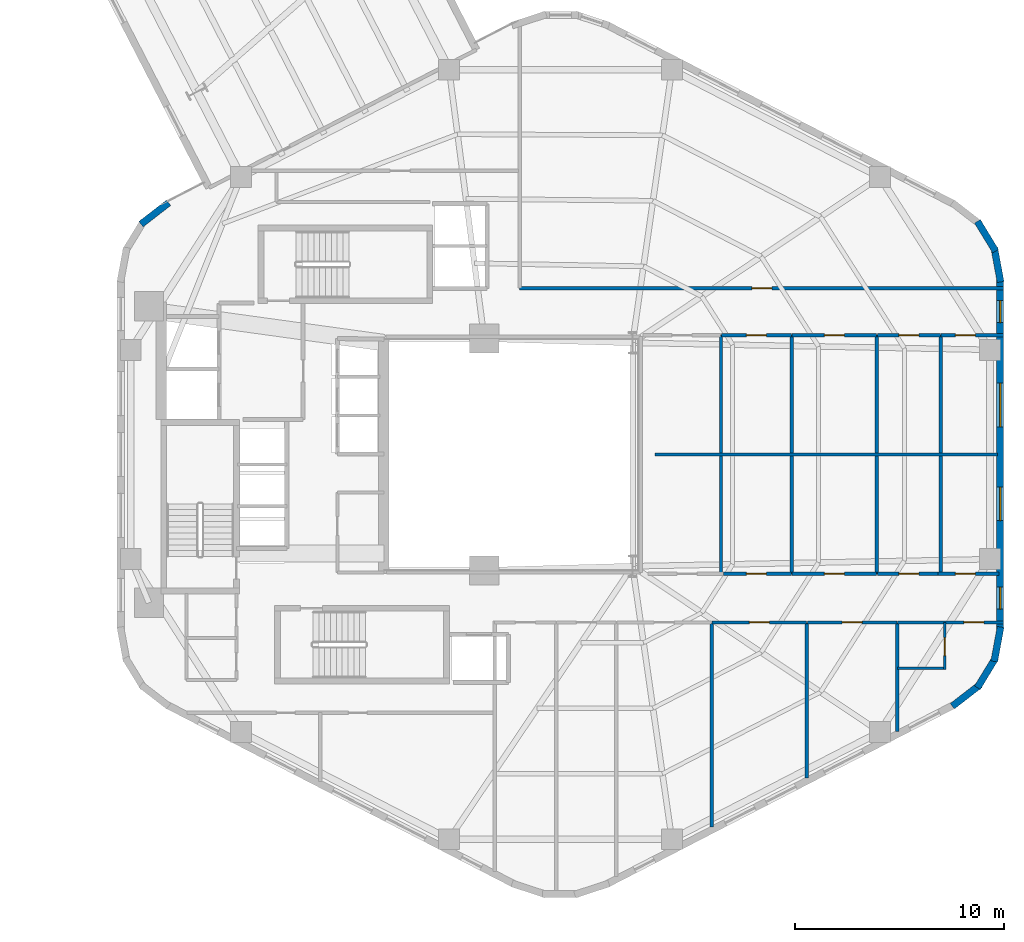
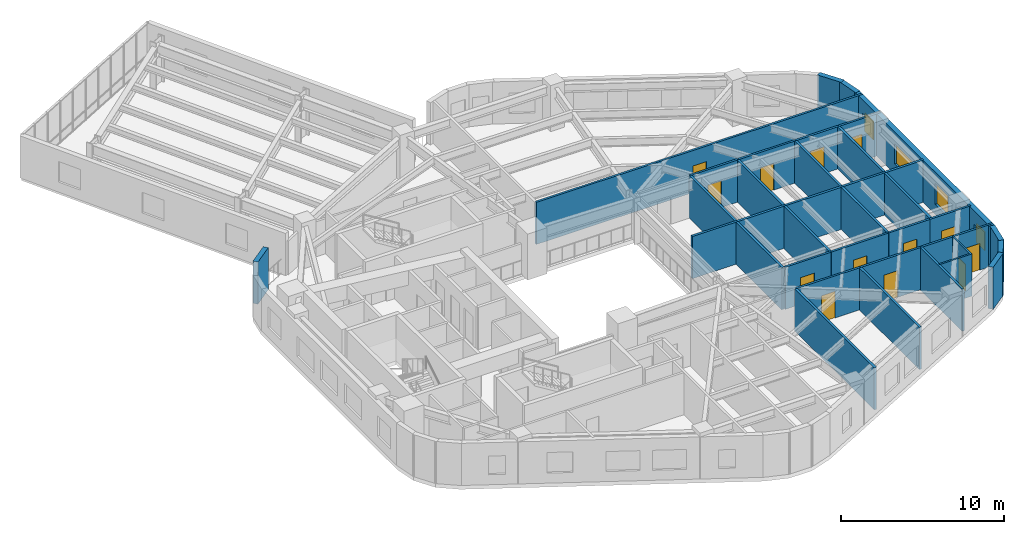
# One storey, part 8 of 11: 33 walls, 13 doors, 4 windows, 17 openings.
"""IFC4 building model written with IfcOpenShell, lengths in metres."""

import ifcopenshell
import ifcopenshell.guid

model = None  # the IFC model being written
_history = None  # IfcOwnerHistory: only IFC2X3 demands one
_inside = {}  # id of a spatial element -> (the spatial element, [elements in it])
_under = {}  # id of a project, library or spatial element -> (it, [spatial elements below it])
_declared = {}  # id of a project -> (the project, [libraries it declares])
_typed = {}  # id of a type object -> (the type object, [elements of that type])
_made_of = {}  # id of a material, layer set ... -> (it, [elements and type objects made of it])


def new_model(schema):
    """Start an empty IFC model of exactly this schema.

    Asked for "IFC4X3", IfcOpenShell would pick the latest addendum, in which some entities
    have other attributes; the version numbers below select the first issue.
    IFC2X3 requires an IfcOwnerHistory on every rooted entity: one is made here for all.
    """
    global model, _history
    if schema == "IFC4X3":
        model = ifcopenshell.file(schema_version=(4, 3, 0, 0))
    else:
        model = ifcopenshell.file(schema=schema)
    _inside.clear()
    _under.clear()
    _declared.clear()
    _typed.clear()
    _made_of.clear()
    _history = None
    if model.schema == "IFC2X3":
        org = make("IfcOrganization", Name="unknown")
        user = make(
            "IfcPersonAndOrganization",
            ThePerson=make("IfcPerson", FamilyName="unknown"),
            TheOrganization=org,
        )
        app = make(
            "IfcApplication",
            ApplicationDeveloper=org,
            Version="unknown",
            ApplicationFullName="unknown",
            ApplicationIdentifier="unknown",
        )
        _history = make(
            "IfcOwnerHistory",
            OwningUser=user,
            OwningApplication=app,
            ChangeAction="ADDED",
            CreationDate=0,
        )
    return model


def make(cls, **values):
    """One entity of the class cls with the attributes given. An attribute that is None is left unset."""
    return model.create_entity(
        cls, **{name: value for name, value in values.items() if value is not None}
    )


def rooted(cls, **values):
    """An entity with a GlobalId (a new one), such as an element, a storey or a relation."""
    return make(cls, GlobalId=ifcopenshell.guid.new(), OwnerHistory=_history, **values)


def si_unit(unit_type, name, prefix=None):
    """IfcSIUnit, for example si_unit("LENGTHUNIT", "METRE", prefix="MILLI")."""
    return make("IfcSIUnit", UnitType=unit_type, Prefix=prefix, Name=name)


def assignment(units):
    """IfcUnitAssignment: the units of a project."""
    return None if units is None else make("IfcUnitAssignment", Units=units)


def point(xyz):
    """IfcCartesianPoint."""
    return None if xyz is None else make("IfcCartesianPoint", Coordinates=xyz)


def direction(xyz):
    """IfcDirection."""
    return None if xyz is None else make("IfcDirection", DirectionRatios=xyz)


def frame(location, z_axis=None, x_axis=None):
    """IfcAxis2Placement3D, a coordinate frame: its origin and axes. An axis left out is left unset."""
    return make(
        "IfcAxis2Placement3D",
        Location=point(location),
        Axis=direction(z_axis),
        RefDirection=direction(x_axis),
    )


def frame_2d(location, x_axis=None):
    """IfcAxis2Placement2D, a coordinate frame in the plane: its origin and x axis."""
    return make(
        "IfcAxis2Placement2D", Location=point(location), RefDirection=direction(x_axis)
    )


def origin():
    """The frame at (0, 0, 0) with its axes left unset."""
    return frame((0.0, 0.0, 0.0))


def place(relative_to, where):
    """IfcLocalPlacement: puts the frame where relative to a parent placement (None: the world)."""
    return make(
        "IfcLocalPlacement", PlacementRelTo=relative_to, RelativePlacement=where
    )


def context(
    kind, dimensions, precision=None, world=None, true_north=None, identifier=None
):
    """IfcGeometricRepresentationContext, for example the 3D "Model" context."""
    return make(
        "IfcGeometricRepresentationContext",
        ContextIdentifier=identifier,
        ContextType=kind,
        CoordinateSpaceDimension=dimensions,
        Precision=precision,
        WorldCoordinateSystem=world,
        TrueNorth=true_north,
    )


def subcontext(parent, identifier, kind, view, scale=None):
    """IfcGeometricRepresentationSubContext, for example "Body" below "Model"."""
    return make(
        "IfcGeometricRepresentationSubContext",
        ContextIdentifier=identifier,
        ContextType=kind,
        ParentContext=parent,
        TargetScale=scale,
        TargetView=view,
    )


def project(units=None, contexts=None):
    """IfcProject with its units and contexts."""
    return rooted(
        "IfcProject",
        Name="project",
        RepresentationContexts=contexts,
        UnitsInContext=assignment(units),
    )


def spatial(cls, under=None, at=None, **own):
    """A site, building, storey or space (cls), placed at a placement, below another one or the project."""
    s = rooted(cls, ObjectPlacement=at, **own)
    if under is not None:
        _under.setdefault(under.id(), (under, []))[1].append(s)
    return s


def profile(cls, at=None, kind="AREA", **sizes):
    """A parametric profile (cls). Its sizes go by their IFC names, for example OverallWidth=200.0."""
    return make(cls, ProfileType=kind, Position=at, **sizes)


def rectangle(**sizes):
    """IfcRectangleProfileDef."""
    return profile("IfcRectangleProfileDef", **sizes)


def extrude(swept, where, along, depth):
    """IfcExtrudedAreaSolid: the profile swept, set in the frame where, extruded along a direction by depth."""
    return make(
        "IfcExtrudedAreaSolid",
        SweptArea=swept,
        Position=where,
        ExtrudedDirection=direction(along),
        Depth=depth,
    )


def shape(context_of_items, identifier, shape_type, items):
    """IfcShapeRepresentation: the items that make up one representation, for example the "Body"."""
    return make(
        "IfcShapeRepresentation",
        ContextOfItems=context_of_items,
        RepresentationIdentifier=identifier,
        RepresentationType=shape_type,
        Items=items,
    )


def material(Name=None, Category=None):
    """IfcMaterial."""
    return make("IfcMaterial", Name=Name, Category=Category)


def layer(
    of_material, thickness, ventilated=None, Name=None, Category=None, Priority=None
):
    """IfcMaterialLayer: one layer of a wall or slab, of a material (None: an air gap)."""
    return make(
        "IfcMaterialLayer",
        Material=of_material,
        LayerThickness=thickness,
        IsVentilated=ventilated,
        Name=Name,
        Category=Category,
        Priority=Priority,
    )


def layer_set(layers, Name=None):
    """IfcMaterialLayerSet."""
    return make("IfcMaterialLayerSet", MaterialLayers=layers, LayerSetName=Name)


def made_of(thing, what):
    """Note that an element or type object is made of a material, layer set ...; save() writes the relation."""
    if what is not None:
        _made_of.setdefault(what.id(), (what, []))[1].append(thing)
    return thing


def type_object(cls, material=None, **own):
    """A type object (cls), such as IfcWallType, which elements share."""
    return made_of(rooted(cls, **own), material)


def element(
    cls,
    number,
    at=None,
    inside=None,
    cuts=None,
    type_object=None,
    material=None,
    context=None,
    identifier="Body",
    shape_type=None,
    held_by="IfcProductDefinitionShape",
    body=None,
    shapes=None,
    **own,
):
    """One element of the class cls, such as IfcWall. Its Tag is "e" and its number.

    at: its placement. inside: the storey or other place that contains it. cuts: it is an
    opening in that element (IfcRelVoidsElement). A single representation is given by context,
    identifier, shape_type and body (its items); several are given by shapes. held_by: the class
    of the entity that holds the representations. save() writes the other relations.
    """
    e = rooted(cls, Tag="e%d" % number, ObjectPlacement=at, **own)
    if body is not None:
        shapes = [shape(context, identifier, shape_type, body)]
    if shapes is not None:
        e.Representation = make(held_by, Representations=shapes)
    if inside is not None:
        _inside.setdefault(inside.id(), (inside, []))[1].append(e)
    if cuts is not None:
        rooted(
            "IfcRelVoidsElement", RelatingBuildingElement=cuts, RelatedOpeningElement=e
        )
    if type_object is not None:
        _typed.setdefault(type_object.id(), (type_object, []))[1].append(e)
    return made_of(e, material)


def fill(opening, filler):
    """IfcRelFillsElement: the door or window that sits in an opening."""
    return rooted(
        "IfcRelFillsElement",
        RelatingOpeningElement=opening,
        RelatedBuildingElement=filler,
    )


def aggregate(whole, parts):
    """IfcRelAggregates: a whole, such as a stair, and the parts it consists of."""
    return rooted("IfcRelAggregates", RelatingObject=whole, RelatedObjects=parts)


def save(model, path):
    """Write the relations noted so far, then the file.

    IfcRelAggregates (storeys below a building ...), IfcRelContainedInSpatialStructure (elements
    in a storey), IfcRelDefinesByType, IfcRelAssociatesMaterial and IfcRelDeclares: one each for
    every whole, place, type object, material and project.
    """
    for whole, parts in _under.values():
        aggregate(whole, parts)
    for where, things in _inside.values():
        rooted(
            "IfcRelContainedInSpatialStructure",
            RelatedElements=things,
            RelatingStructure=where,
        )
    for kind, things in _typed.values():
        rooted("IfcRelDefinesByType", RelatedObjects=things, RelatingType=kind)
    for what, things in _made_of.values():
        rooted("IfcRelAssociatesMaterial", RelatedObjects=things, RelatingMaterial=what)
    for by, libraries in _declared.values():
        rooted("IfcRelDeclares", RelatingContext=by, RelatedDefinitions=libraries)
    model.write(path)


model = new_model("IFC4")

# Units and contexts
model_context = context("Model", 3, precision=1e-05, world=origin(), true_north=direction((0.0, 1.0)))
body_context = subcontext(model_context, "Body", "Model", "MODEL_VIEW")
ifc_project = project(units=[si_unit("LENGTHUNIT", "METRE"), si_unit("AREAUNIT", "SQUARE_METRE"), si_unit("VOLUMEUNIT", "CUBIC_METRE"), si_unit("PLANEANGLEUNIT", "RADIAN"), si_unit("MASSUNIT", "GRAM", prefix="KILO"), si_unit("THERMODYNAMICTEMPERATUREUNIT", "KELVIN"), si_unit("POWERUNIT", "WATT")], contexts=[model_context])

# Site, building, storey
site_placement = place(None, origin())
site = spatial("IfcSite", under=ifc_project, at=site_placement, CompositionType="ELEMENT")
building_placement = place(site_placement, origin())
building = spatial("IfcBuilding", under=site, at=building_placement, Name="Skarre Station Tower", CompositionType="ELEMENT")
storey_placement = place(building_placement, frame((0.0, 0.0, 139.5)))
storey = spatial("IfcBuildingStorey", under=building, at=storey_placement, Name="L37", CompositionType="ELEMENT", Elevation=139.5)

# Wall, opening, door
ifc_material_1 = material(Name="Acoustic Steel-Stud Gypsum Partition", Category="steel")
ifc_layer_1 = layer(ifc_material_1, 0.14990234375, Name="Acoustic Steel-Stud Gypsum Partition")
ifc_layer_set_1 = layer_set([ifc_layer_1], Name="Acoustic Steel-Stud Gypsum Partition")
wall_type_1 = type_object("IfcWallType", Name="Fire-Rated Corridor Acoustic Partition 150", PredefinedType="PARTITIONING", material=ifc_layer_set_1)
wall_1_placement = place(storey_placement, frame((57.2080078125, 31.9599609375, 0.0), z_axis=(0.0, 0.0, 1.0), x_axis=(-1.0, 0.0, 0.0)))
wall_1 = element("IfcWall", 1, at=wall_1_placement, inside=storey, type_object=wall_type_1, Name="L37 Interior Partition WL-PT-L37-NW1-CW", PredefinedType="PARTITIONING", context=body_context, shape_type="SweptSolid", body=[
    extrude(rectangle(XDim=23.16796875, YDim=0.14990234375, at=frame_2d((11.583984375, 0.0))), origin(), (0.0, 0.0, 1.0), 3.159912109375),
])
opening_1_placement = place(wall_1_placement, frame((11.090087890625, 0.0, 0.0)))
opening_1 = element("IfcOpeningElement", 2, at=opening_1_placement, cuts=wall_1, Name="Opening DR-FD60", PredefinedType="OPENING", context=body_context, shape_type="SweptSolid", body=[
    extrude(rectangle(XDim=0.9599609375, YDim=2.0, at=frame_2d((0.47998046875, 1.0))), frame((0.0, 0.0849609375, 0.0), z_axis=(0.0, -1.0, 0.0), x_axis=(1.0, 0.0, 0.0)), (0.0, 0.0, 1.0), 0.169921875),
])
ifc_material_2 = material(Name="Nordic White-Oak Veneer Solid-Core Fire Leaf", Category="wood")
door_type_1 = type_object("IfcDoorType", Name="Corridor Suite Entry Fire Door FD60 960x2150", OperationType="SINGLE_SWING_LEFT", PredefinedType="DOOR", material=ifc_material_2)
door_1_placement = place(opening_1_placement, origin())
door_1 = element("IfcDoor", 3, at=door_1_placement, inside=storey, type_object=door_type_1, Name="L37 NW1 Entry Door", OperationType="SINGLE_SWING_LEFT", OverallHeight=2.0, OverallWidth=0.9599609375, PredefinedType="DOOR", context=body_context, shape_type="SweptSolid", body=[
    extrude(rectangle(XDim=0.9599609375, YDim=2.0, at=frame_2d((0.47998046875, 1.0))), frame((0.0, 0.02490234375, 0.0), z_axis=(0.0, -1.0, 0.0), x_axis=(1.0, 0.0, 0.0)), (0.0, 0.0, 1.0), 0.050048828125),
])
fill(opening_1, door_1)

wall_2_placement = place(storey_placement, frame((43.697998046875, 29.7099609375, 0.0), z_axis=(0.0, 0.0, 1.0), x_axis=(1.0, 0.0, 0.0)))
wall_2 = element("IfcWall", 4, at=wall_2_placement, inside=storey, type_object=wall_type_1, Name="L37 Interior Partition WL-PT-L37-EWN2-CW", PredefinedType="PARTITIONING", context=body_context, shape_type="SweptSolid", body=[
    extrude(rectangle(XDim=3.364013671875, YDim=0.14990234375, at=frame_2d((1.68212890625, 0.0))), origin(), (0.0, 0.0, 1.0), 3.159912109375),
])
opening_2_placement = place(wall_2_placement, frame((1.201904296875, 0.0, 0.0)))
opening_2 = element("IfcOpeningElement", 5, at=opening_2_placement, cuts=wall_2, Name="Opening DR-FD60", PredefinedType="OPENING", context=body_context, shape_type="SweptSolid", body=[
    extrude(rectangle(XDim=0.9599609375, YDim=2.0, at=frame_2d((0.47998046875, 1.0))), frame((0.0, 0.0849609375, 0.0), z_axis=(0.0, -1.0, 0.0), x_axis=(1.0, 0.0, 0.0)), (0.0, 0.0, 1.0), 0.169921875),
])
door_2_placement = place(opening_2_placement, origin())
door_2 = element("IfcDoor", 6, at=door_2_placement, inside=storey, type_object=door_type_1, Name="L37 EWN2 Entry Door", OperationType="SINGLE_SWING_LEFT", OverallHeight=2.0, OverallWidth=0.9599609375, PredefinedType="DOOR", context=body_context, shape_type="SweptSolid", body=[
    extrude(rectangle(XDim=0.9599609375, YDim=2.0, at=frame_2d((0.47998046875, 1.0))), frame((0.0, 0.02490234375, 0.0), z_axis=(0.0, -1.0, 0.0), x_axis=(1.0, 0.0, 0.0)), (0.0, 0.0, 1.0), 0.050048828125),
])
fill(opening_2, door_2)

wall_3_placement = place(storey_placement, frame((47.092041015625, 29.7099609375, 0.0), z_axis=(0.0, 0.0, 1.0), x_axis=(1.0, 0.0, 0.0)))
wall_3 = element("IfcWall", 7, at=wall_3_placement, inside=storey, type_object=wall_type_1, Name="L37 Interior Partition WL-PT-L37-EWN3-CW", PredefinedType="PARTITIONING", context=body_context, shape_type="SweptSolid", body=[
    extrude(rectangle(XDim=4.0419921875, YDim=0.14990234375, at=frame_2d((2.02099609375, 0.0))), origin(), (0.0, 0.0, 1.0), 3.159912109375),
])
opening_3_placement = place(wall_3_placement, frame((1.541015625, 0.0, 0.0)))
opening_3 = element("IfcOpeningElement", 8, at=opening_3_placement, cuts=wall_3, Name="Opening DR-FD60", PredefinedType="OPENING", context=body_context, shape_type="SweptSolid", body=[
    extrude(rectangle(XDim=0.9599609375, YDim=2.0, at=frame_2d((0.47998046875, 1.0))), frame((0.0, 0.0849609375, 0.0), z_axis=(0.0, -1.0, 0.0), x_axis=(1.0, 0.0, 0.0)), (0.0, 0.0, 1.0), 0.169921875),
])
door_3_placement = place(opening_3_placement, origin())
door_3 = element("IfcDoor", 9, at=door_3_placement, inside=storey, type_object=door_type_1, Name="L37 EWN3 Entry Door", OperationType="SINGLE_SWING_LEFT", OverallHeight=2.0, OverallWidth=0.9599609375, PredefinedType="DOOR", context=body_context, shape_type="SweptSolid", body=[
    extrude(rectangle(XDim=0.9599609375, YDim=2.0, at=frame_2d((0.47998046875, 1.0))), frame((0.0, 0.02490234375, 0.0), z_axis=(0.0, -1.0, 0.0), x_axis=(1.0, 0.0, 0.0)), (0.0, 0.0, 1.0), 0.050048828125),
])
fill(opening_3, door_3)

wall_4_placement = place(storey_placement, frame((51.1640625, 29.7099609375, 0.0), z_axis=(0.0, 0.0, 1.0), x_axis=(1.0, 0.0, 0.0)))
wall_4 = element("IfcWall", 10, at=wall_4_placement, inside=storey, type_object=wall_type_1, Name="L37 Interior Partition WL-PT-L37-EWN4-CW", PredefinedType="PARTITIONING", context=body_context, shape_type="SweptSolid", body=[
    extrude(rectangle(XDim=3.02392578125, YDim=0.14990234375, at=frame_2d((1.511962890625, 0.0))), origin(), (0.0, 0.0, 1.0), 3.159912109375),
])
opening_4_placement = place(wall_4_placement, frame((1.031982421875, 0.0, 0.0)))
opening_4 = element("IfcOpeningElement", 11, at=opening_4_placement, cuts=wall_4, Name="Opening DR-FD60", PredefinedType="OPENING", context=body_context, shape_type="SweptSolid", body=[
    extrude(rectangle(XDim=0.9599609375, YDim=2.0, at=frame_2d((0.47998046875, 1.0))), frame((0.0, 0.0849609375, 0.0), z_axis=(0.0, -1.0, 0.0), x_axis=(1.0, 0.0, 0.0)), (0.0, 0.0, 1.0), 0.169921875),
])
door_4_placement = place(opening_4_placement, origin())
door_4 = element("IfcDoor", 12, at=door_4_placement, inside=storey, type_object=door_type_1, Name="L37 EWN4 Entry Door", OperationType="SINGLE_SWING_LEFT", OverallHeight=2.0, OverallWidth=0.9599609375, PredefinedType="DOOR", context=body_context, shape_type="SweptSolid", body=[
    extrude(rectangle(XDim=0.9599609375, YDim=2.0, at=frame_2d((0.47998046875, 1.0))), frame((0.0, 0.02490234375, 0.0), z_axis=(0.0, -1.0, 0.0), x_axis=(1.0, 0.0, 0.0)), (0.0, 0.0, 1.0), 0.050048828125),
])
fill(opening_4, door_4)

wall_5_placement = place(storey_placement, frame((54.218017578125, 29.7099609375, 0.0), z_axis=(0.0, 0.0, 1.0), x_axis=(1.0, 0.0, 0.0)))
wall_5 = element("IfcWall", 13, at=wall_5_placement, inside=storey, type_object=wall_type_1, Name="L37 Interior Partition WL-PT-L37-EWN5-CW", PredefinedType="PARTITIONING", context=body_context, shape_type="SweptSolid", body=[
    extrude(rectangle(XDim=2.989990234375, YDim=0.14990234375, at=frame_2d((1.4951171875, 0.0))), origin(), (0.0, 0.0, 1.0), 3.159912109375),
])
opening_5_placement = place(wall_5_placement, frame((0.679931640625, 0.0, 0.0)))
opening_5 = element("IfcOpeningElement", 14, at=opening_5_placement, cuts=wall_5, Name="Opening DR-FD60", PredefinedType="OPENING", context=body_context, shape_type="SweptSolid", body=[
    extrude(rectangle(XDim=0.9599609375, YDim=2.0, at=frame_2d((0.47998046875, 1.0))), frame((0.0, 0.0849609375, 0.0), z_axis=(0.0, -1.0, 0.0), x_axis=(1.0, 0.0, 0.0)), (0.0, 0.0, 1.0), 0.169921875),
])
door_5_placement = place(opening_5_placement, origin())
door_5 = element("IfcDoor", 15, at=door_5_placement, inside=storey, type_object=door_type_1, Name="L37 EWN5 Entry Door", OperationType="SINGLE_SWING_LEFT", OverallHeight=2.0, OverallWidth=0.9599609375, PredefinedType="DOOR", context=body_context, shape_type="SweptSolid", body=[
    extrude(rectangle(XDim=0.9599609375, YDim=2.0, at=frame_2d((0.47998046875, 1.0))), frame((0.0, 0.02490234375, 0.0), z_axis=(0.0, -1.0, 0.0), x_axis=(1.0, 0.0, 0.0)), (0.0, 0.0, 1.0), 0.050048828125),
])
fill(opening_5, door_5)

wall_6_placement = place(storey_placement, frame((47.06201171875, 18.2900390625, 0.0), z_axis=(0.0, 0.0, 1.0), x_axis=(-1.0, 0.0, 0.0)))
wall_6 = element("IfcWall", 16, at=wall_6_placement, inside=storey, type_object=wall_type_1, Name="L37 Interior Partition WL-PT-L37-EWS2-CW", PredefinedType="PARTITIONING", context=body_context, shape_type="SweptSolid", body=[
    extrude(rectangle(XDim=3.2490234375, YDim=0.14990234375, at=frame_2d((1.62451171875, 0.0))), origin(), (0.0, 0.0, 1.0), 3.159912109375),
])
opening_6_placement = place(wall_6_placement, frame((1.201904296875, 0.0, 0.0)))
opening_6 = element("IfcOpeningElement", 17, at=opening_6_placement, cuts=wall_6, Name="Opening DR-FD60", PredefinedType="OPENING", context=body_context, shape_type="SweptSolid", body=[
    extrude(rectangle(XDim=0.9599609375, YDim=2.0, at=frame_2d((0.47998046875, 1.0))), frame((0.0, 0.0849609375, 0.0), z_axis=(0.0, -1.0, 0.0), x_axis=(1.0, 0.0, 0.0)), (0.0, 0.0, 1.0), 0.169921875),
])
door_6_placement = place(opening_6_placement, origin())
door_6 = element("IfcDoor", 18, at=door_6_placement, inside=storey, type_object=door_type_1, Name="L37 EWS2 Entry Door", OperationType="SINGLE_SWING_LEFT", OverallHeight=2.0, OverallWidth=0.9599609375, PredefinedType="DOOR", context=body_context, shape_type="SweptSolid", body=[
    extrude(rectangle(XDim=0.9599609375, YDim=2.0, at=frame_2d((0.47998046875, 1.0))), frame((0.0, 0.02490234375, 0.0), z_axis=(0.0, -1.0, 0.0), x_axis=(1.0, 0.0, 0.0)), (0.0, 0.0, 1.0), 0.050048828125),
])
fill(opening_6, door_6)

wall_7_placement = place(storey_placement, frame((51.134033203125, 18.2900390625, 0.0), z_axis=(0.0, 0.0, 1.0), x_axis=(-1.0, 0.0, 0.0)))
wall_7 = element("IfcWall", 19, at=wall_7_placement, inside=storey, type_object=wall_type_1, Name="L37 Interior Partition WL-PT-L37-EWS3-CW", PredefinedType="PARTITIONING", context=body_context, shape_type="SweptSolid", body=[
    extrude(rectangle(XDim=4.0419921875, YDim=0.14990234375, at=frame_2d((2.02099609375, 0.0))), origin(), (0.0, 0.0, 1.0), 3.159912109375),
])
opening_7_placement = place(wall_7_placement, frame((1.541015625, 0.0, 0.0)))
opening_7 = element("IfcOpeningElement", 20, at=opening_7_placement, cuts=wall_7, Name="Opening DR-FD60", PredefinedType="OPENING", context=body_context, shape_type="SweptSolid", body=[
    extrude(rectangle(XDim=0.9599609375, YDim=2.0, at=frame_2d((0.47998046875, 1.0))), frame((0.0, 0.0849609375, 0.0), z_axis=(0.0, -1.0, 0.0), x_axis=(1.0, 0.0, 0.0)), (0.0, 0.0, 1.0), 0.169921875),
])
door_7_placement = place(opening_7_placement, origin())
door_7 = element("IfcDoor", 21, at=door_7_placement, inside=storey, type_object=door_type_1, Name="L37 EWS3 Entry Door", OperationType="SINGLE_SWING_LEFT", OverallHeight=2.0, OverallWidth=0.9599609375, PredefinedType="DOOR", context=body_context, shape_type="SweptSolid", body=[
    extrude(rectangle(XDim=0.9599609375, YDim=2.0, at=frame_2d((0.47998046875, 1.0))), frame((0.0, 0.02490234375, 0.0), z_axis=(0.0, -1.0, 0.0), x_axis=(1.0, 0.0, 0.0)), (0.0, 0.0, 1.0), 0.050048828125),
])
fill(opening_7, door_7)

wall_8_placement = place(storey_placement, frame((54.072998046875, 18.2900390625, 0.0), z_axis=(0.0, 0.0, 1.0), x_axis=(-1.0, 0.0, 0.0)))
wall_8 = element("IfcWall", 22, at=wall_8_placement, inside=storey, type_object=wall_type_1, Name="L37 Interior Partition WL-PT-L37-EWS4-CW", PredefinedType="PARTITIONING", context=body_context, shape_type="SweptSolid", body=[
    extrude(rectangle(XDim=2.908935546875, YDim=0.14990234375, at=frame_2d((1.45458984375, 0.0))), origin(), (0.0, 0.0, 1.0), 3.159912109375),
])
opening_8_placement = place(wall_8_placement, frame((0.9169921875, 0.0, 0.0)))
opening_8 = element("IfcOpeningElement", 23, at=opening_8_placement, cuts=wall_8, Name="Opening DR-FD60", PredefinedType="OPENING", context=body_context, shape_type="SweptSolid", body=[
    extrude(rectangle(XDim=0.9599609375, YDim=2.0, at=frame_2d((0.47998046875, 1.0))), frame((0.0, 0.0849609375, 0.0), z_axis=(0.0, -1.0, 0.0), x_axis=(1.0, 0.0, 0.0)), (0.0, 0.0, 1.0), 0.169921875),
])
door_8_placement = place(opening_8_placement, origin())
door_8 = element("IfcDoor", 24, at=door_8_placement, inside=storey, type_object=door_type_1, Name="L37 EWS4 Entry Door", OperationType="SINGLE_SWING_LEFT", OverallHeight=2.0, OverallWidth=0.9599609375, PredefinedType="DOOR", context=body_context, shape_type="SweptSolid", body=[
    extrude(rectangle(XDim=0.9599609375, YDim=2.0, at=frame_2d((0.47998046875, 1.0))), frame((0.0, 0.02490234375, 0.0), z_axis=(0.0, -1.0, 0.0), x_axis=(1.0, 0.0, 0.0)), (0.0, 0.0, 1.0), 0.050048828125),
])
fill(opening_8, door_8)

wall_9_placement = place(storey_placement, frame((56.988037109375, 18.2900390625, 0.0), z_axis=(0.0, 0.0, 1.0), x_axis=(-1.0, 0.0, 0.0)))
wall_9 = element("IfcWall", 25, at=wall_9_placement, inside=storey, type_object=wall_type_1, Name="L37 Interior Partition WL-PT-L37-EWS5-CW", PredefinedType="PARTITIONING", context=body_context, shape_type="SweptSolid", body=[
    extrude(rectangle(XDim=2.905029296875, YDim=0.14990234375, at=frame_2d((1.45263671875, 0.0))), origin(), (0.0, 0.0, 1.0), 3.159912109375),
])
opening_9_placement = place(wall_9_placement, frame((1.1298828125, 0.0, 0.0)))
opening_9 = element("IfcOpeningElement", 26, at=opening_9_placement, cuts=wall_9, Name="Opening DR-FD60", PredefinedType="OPENING", context=body_context, shape_type="SweptSolid", body=[
    extrude(rectangle(XDim=0.9599609375, YDim=2.0, at=frame_2d((0.47998046875, 1.0))), frame((0.0, 0.0849609375, 0.0), z_axis=(0.0, -1.0, 0.0), x_axis=(1.0, 0.0, 0.0)), (0.0, 0.0, 1.0), 0.169921875),
])
door_9_placement = place(opening_9_placement, origin())
door_9 = element("IfcDoor", 27, at=door_9_placement, inside=storey, type_object=door_type_1, Name="L37 EWS5 Entry Door", OperationType="SINGLE_SWING_LEFT", OverallHeight=2.0, OverallWidth=0.9599609375, PredefinedType="DOOR", context=body_context, shape_type="SweptSolid", body=[
    extrude(rectangle(XDim=0.9599609375, YDim=2.0, at=frame_2d((0.47998046875, 1.0))), frame((0.0, 0.02490234375, 0.0), z_axis=(0.0, -1.0, 0.0), x_axis=(1.0, 0.0, 0.0)), (0.0, 0.0, 1.0), 0.050048828125),
])
fill(opening_9, door_9)

wall_10_placement = place(storey_placement, frame((43.257080078125, 15.9599609375, 0.0), z_axis=(0.0, 0.0, 1.0), x_axis=(1.0, 0.0, 0.0)))
wall_10 = element("IfcWall", 28, at=wall_10_placement, inside=storey, type_object=wall_type_1, Name="L37 Interior Partition WL-PT-L37-SW4-CW", PredefinedType="PARTITIONING", context=body_context, shape_type="SweptSolid", body=[
    extrude(rectangle(XDim=4.52392578125, YDim=0.14990234375, at=frame_2d((2.261962890625, 0.0))), origin(), (0.0, 0.0, 1.0), 3.159912109375),
])
opening_10_placement = place(wall_10_placement, frame((1.781982421875, 0.0, 0.0)))
opening_10 = element("IfcOpeningElement", 29, at=opening_10_placement, cuts=wall_10, Name="Opening DR-FD60", PredefinedType="OPENING", context=body_context, shape_type="SweptSolid", body=[
    extrude(rectangle(XDim=0.9599609375, YDim=2.0, at=frame_2d((0.47998046875, 1.0))), frame((0.0, 0.0849609375, 0.0), z_axis=(0.0, -1.0, 0.0), x_axis=(1.0, 0.0, 0.0)), (0.0, 0.0, 1.0), 0.169921875),
])
door_10_placement = place(opening_10_placement, origin())
door_10 = element("IfcDoor", 30, at=door_10_placement, inside=storey, type_object=door_type_1, Name="L37 SW4 Entry Door", OperationType="SINGLE_SWING_LEFT", OverallHeight=2.0, OverallWidth=0.9599609375, PredefinedType="DOOR", context=body_context, shape_type="SweptSolid", body=[
    extrude(rectangle(XDim=0.9599609375, YDim=2.0, at=frame_2d((0.47998046875, 1.0))), frame((0.0, 0.02490234375, 0.0), z_axis=(0.0, -1.0, 0.0), x_axis=(1.0, 0.0, 0.0)), (0.0, 0.0, 1.0), 0.050048828125),
])
fill(opening_10, door_10)

wall_11_placement = place(storey_placement, frame((47.81689453125, 15.9599609375, 0.0), z_axis=(0.0, 0.0, 1.0), x_axis=(1.0, 0.0, 0.0)))
wall_11 = element("IfcWall", 31, at=wall_11_placement, inside=storey, type_object=wall_type_1, Name="L37 Interior Partition WL-PT-L37-SW5-CW", PredefinedType="PARTITIONING", context=body_context, shape_type="SweptSolid", body=[
    extrude(rectangle(XDim=4.283203125, YDim=0.14990234375, at=frame_2d((2.1416015625, 0.0))), origin(), (0.0, 0.0, 1.0), 3.159912109375),
])
opening_11_placement = place(wall_11_placement, frame((1.662109375, 0.0, 0.0)))
opening_11 = element("IfcOpeningElement", 32, at=opening_11_placement, cuts=wall_11, Name="Opening DR-FD60", PredefinedType="OPENING", context=body_context, shape_type="SweptSolid", body=[
    extrude(rectangle(XDim=0.9599609375, YDim=2.0, at=frame_2d((0.47998046875, 1.0))), frame((0.0, 0.0849609375, 0.0), z_axis=(0.0, -1.0, 0.0), x_axis=(1.0, 0.0, 0.0)), (0.0, 0.0, 1.0), 0.169921875),
])
door_11_placement = place(opening_11_placement, origin())
door_11 = element("IfcDoor", 33, at=door_11_placement, inside=storey, type_object=door_type_1, Name="L37 SW5 Entry Door", OperationType="SINGLE_SWING_LEFT", OverallHeight=2.0, OverallWidth=0.9599609375, PredefinedType="DOOR", context=body_context, shape_type="SweptSolid", body=[
    extrude(rectangle(XDim=0.9599609375, YDim=2.0, at=frame_2d((0.47998046875, 1.0))), frame((0.0, 0.02490234375, 0.0), z_axis=(0.0, -1.0, 0.0), x_axis=(1.0, 0.0, 0.0)), (0.0, 0.0, 1.0), 0.050048828125),
])
fill(opening_11, door_11)

wall_12_placement = place(storey_placement, frame((52.135986328125, 15.9599609375, 0.0), z_axis=(0.0, 0.0, 1.0), x_axis=(1.0, 0.0, 0.0)))
wall_12 = element("IfcWall", 34, at=wall_12_placement, inside=storey, type_object=wall_type_1, Name="L37 Interior Partition WL-PT-L37-SW6-CW", PredefinedType="PARTITIONING", context=body_context, shape_type="SweptSolid", body=[
    extrude(rectangle(XDim=5.072021484375, YDim=0.14990234375, at=frame_2d((2.5361328125, 0.0))), origin(), (0.0, 0.0, 1.0), 3.159912109375),
])
opening_12_placement = place(wall_12_placement, frame((3.169921875, 0.0, 0.0)))
opening_12 = element("IfcOpeningElement", 35, at=opening_12_placement, cuts=wall_12, Name="Opening DR-FD60", PredefinedType="OPENING", context=body_context, shape_type="SweptSolid", body=[
    extrude(rectangle(XDim=0.9599609375, YDim=2.0, at=frame_2d((0.47998046875, 1.0))), frame((0.0, 0.0849609375, 0.0), z_axis=(0.0, -1.0, 0.0), x_axis=(1.0, 0.0, 0.0)), (0.0, 0.0, 1.0), 0.169921875),
])
door_12_placement = place(opening_12_placement, origin())
door_12 = element("IfcDoor", 36, at=door_12_placement, inside=storey, type_object=door_type_1, Name="L37 SW6 Entry Door", OperationType="SINGLE_SWING_LEFT", OverallHeight=2.0, OverallWidth=0.9599609375, PredefinedType="DOOR", context=body_context, shape_type="SweptSolid", body=[
    extrude(rectangle(XDim=0.9599609375, YDim=2.0, at=frame_2d((0.47998046875, 1.0))), frame((0.0, 0.02490234375, 0.0), z_axis=(0.0, -1.0, 0.0), x_axis=(1.0, 0.0, 0.0)), (0.0, 0.0, 1.0), 0.050048828125),
])
fill(opening_12, door_12)

ifc_material_3 = material(Name="Insulated Timber-Stud Gypsum Partition", Category="wood")
ifc_layer_2 = layer(ifc_material_3, 0.1201171875, Name="Insulated Timber-Stud Gypsum Partition")
ifc_layer_set_2 = layer_set([ifc_layer_2], Name="Insulated Timber-Stud Gypsum Partition")
wall_type_2 = type_object("IfcWallType", Name="Internal Suite Acoustic Partition 120", PredefinedType="PARTITIONING", material=ifc_layer_set_2)
wall_13_placement = place(storey_placement, frame((54.39599609375, 13.719970703125, 0.0), z_axis=(0.0, 0.0, 1.0), x_axis=(0.0, 1.0, 0.0)))
wall_13 = element("IfcWall", 37, at=wall_13_placement, inside=storey, type_object=wall_type_2, Name="L37 Interior Partition WL-PT-L37-SW6-EW2", PredefinedType="PARTITIONING", context=body_context, shape_type="SweptSolid", body=[
    extrude(rectangle(XDim=2.239990234375, YDim=0.1201171875, at=frame_2d((1.1201171875, 0.0))), origin(), (0.0, 0.0, 1.0), 3.159912109375),
])
opening_13_placement = place(wall_13_placement, frame((0.64990234375, 0.0, 0.0)))
opening_13 = element("IfcOpeningElement", 38, at=opening_13_placement, cuts=wall_13, Name="Opening DR-INT86", PredefinedType="OPENING", context=body_context, shape_type="SweptSolid", body=[
    extrude(rectangle(XDim=0.860107421875, YDim=2.0, at=frame_2d((0.43017578125, 1.0))), frame((0.0, 0.070068359375, 0.0), z_axis=(0.0, -1.0, 0.0), x_axis=(1.0, 0.0, 0.0)), (0.0, 0.0, 1.0), 0.14013671875),
])
ifc_material_4 = material(Name="Nordic Birch Acoustic Solid-Core Timber Leaf", Category="wood")
door_type_2 = type_object("IfcDoorType", Name="Internal En-Suite & Bedroom Door 860x2100", OperationType="SINGLE_SWING_LEFT", PredefinedType="DOOR", material=ifc_material_4)
door_13_placement = place(opening_13_placement, origin())
door_13 = element("IfcDoor", 39, at=door_13_placement, inside=storey, type_object=door_type_2, Name="L37 SW6 En-suite Door", OperationType="SINGLE_SWING_RIGHT", OverallHeight=2.0, OverallWidth=0.860107421875, PredefinedType="DOOR", context=body_context, shape_type="SweptSolid", body=[
    extrude(rectangle(XDim=0.860107421875, YDim=2.0, at=frame_2d((0.43017578125, 1.0))), frame((0.0, 0.02490234375, 0.0), z_axis=(0.0, -1.0, 0.0), x_axis=(1.0, 0.0, 0.0)), (0.0, 0.0, 1.0), 0.050048828125),
])
fill(opening_13, door_13)

# Wall
wall_14_placement = place(storey_placement, frame((52.135986328125, 13.780029296875, 0.0), z_axis=(0.0, 0.0, 1.0), x_axis=(1.0, 0.0, 0.0)))
element("IfcWall", 40, at=wall_14_placement, inside=storey, type_object=wall_type_2, Name="L37 Interior Partition WL-PT-L37-SW6-EW1", PredefinedType="PARTITIONING", context=body_context, shape_type="SweptSolid", body=[
    extrude(rectangle(XDim=2.320068359375, YDim=0.1201171875, at=frame_2d((1.16015625, 0.0))), origin(), (0.0, 0.0, 1.0), 3.159912109375),
])

# Wall, openings, windows
ifc_material_5 = material(Name="Precast concrete C45/55", Category="concrete")
ifc_layer_3 = layer(ifc_material_5, 0.340087890625, Name="Precast concrete C45/55")
ifc_layer_set_3 = layer_set([ifc_layer_3], Name="Precast concrete C45/55")
wall_type_3 = type_object("IfcWallType", Name="Nordic Honed Precast Facet Wall 340", PredefinedType="STANDARD", material=ifc_layer_set_3)
wall_15_placement = place(storey_placement, frame((57.048095703125, 32.35205078125, 0.0), z_axis=(0.0, 0.0, 1.0), x_axis=(0.0, -1.0, 0.0)))
wall_15 = element("IfcWall", 41, at=wall_15_placement, inside=storey, type_object=wall_type_3, Name="L37 Facet 5 Nordic Precast Masonry Wall", PredefinedType="STANDARD", context=body_context, shape_type="SweptSolid", body=[
    extrude(rectangle(XDim=16.7041015625, YDim=0.340087890625, at=frame_2d((8.35205078125, 0.0))), origin(), (0.0, 0.0, 1.0), 3.159912109375),
])
opening_14_placement = place(wall_15_placement, frame((0.991943359375, 0.0, 0.75)))
opening_14 = element("IfcOpeningElement", 42, at=opening_14_placement, cuts=wall_15, Name="Opening WN-SLT", PredefinedType="OPENING", context=body_context, shape_type="SweptSolid", body=[
    extrude(rectangle(XDim=1.050048828125, YDim=1.39990234375, at=frame_2d((0.52490234375, 0.699951171875))), frame((0.0, 0.179931640625, 0.0), z_axis=(0.0, -1.0, 0.0), x_axis=(1.0, 0.0, 0.0)), (0.0, 0.0, 1.0), 0.360107421875),
])
opening_15_placement = place(wall_15_placement, frame((4.93505859375, 0.0, 0.75)))
opening_15 = element("IfcOpeningElement", 43, at=opening_15_placement, cuts=wall_15, Name="Opening WN-Z2B", PredefinedType="OPENING", context=body_context, shape_type="SweptSolid", body=[
    extrude(rectangle(XDim=2.10009765625, YDim=1.5, at=frame_2d((1.050048828125, 0.75))), frame((0.0, 0.179931640625, 0.0), z_axis=(0.0, -1.0, 0.0), x_axis=(1.0, 0.0, 0.0)), (0.0, 0.0, 1.0), 0.360107421875),
])
opening_16_placement = place(wall_15_placement, frame((9.9189453125, 0.0, 0.75)))
opening_16 = element("IfcOpeningElement", 44, at=opening_16_placement, cuts=wall_15, Name="Opening WN-Z2A", PredefinedType="OPENING", context=body_context, shape_type="SweptSolid", body=[
    extrude(rectangle(XDim=1.60009765625, YDim=1.550048828125, at=frame_2d((0.800048828125, 0.77490234375))), frame((0.0, 0.179931640625, 0.0), z_axis=(0.0, -1.0, 0.0), x_axis=(1.0, 0.0, 0.0)), (0.0, 0.0, 1.0), 0.360107421875),
])
opening_17_placement = place(wall_15_placement, frame((14.701904296875, 0.0, 0.75)))
opening_17 = element("IfcOpeningElement", 45, at=opening_17_placement, cuts=wall_15, Name="Opening WN-SLT", PredefinedType="OPENING", context=body_context, shape_type="SweptSolid", body=[
    extrude(rectangle(XDim=1.050048828125, YDim=1.39990234375, at=frame_2d((0.52490234375, 0.699951171875))), frame((0.0, 0.179931640625, 0.0), z_axis=(0.0, -1.0, 0.0), x_axis=(1.0, 0.0, 0.0)), (0.0, 0.0, 1.0), 0.360107421875),
])
ifc_material_6 = material(Name="Low-Iron Triple Glazing with Bronze Anodized Frame", Category="glass")
window_type_1 = type_object("IfcWindowType", Name="Nordic Corner Slot Window 1050x1400", PartitioningType="SINGLE_PANEL", PredefinedType="WINDOW", material=ifc_material_6)
window_1_placement = place(opening_14_placement, origin())
window_1 = element("IfcWindow", 46, at=window_1_placement, inside=storey, type_object=window_type_1, Name="L37 Facade Window WL-FAC-L37-F5-1", OverallHeight=1.39990234375, OverallWidth=1.050048828125, PartitioningType="SINGLE_PANEL", PredefinedType="WINDOW", context=body_context, shape_type="SweptSolid", body=[
    extrude(rectangle(XDim=1.050048828125, YDim=1.39990234375, at=frame_2d((0.52490234375, 0.699951171875))), frame((0.0, 0.030029296875, 0.0), z_axis=(0.0, -1.0, 0.0), x_axis=(1.0, 0.0, 0.0)), (0.0, 0.0, 1.0), 0.06005859375),
])
fill(opening_14, window_1)
window_2_placement = place(opening_17_placement, origin())
window_2 = element("IfcWindow", 47, at=window_2_placement, inside=storey, type_object=window_type_1, Name="L37 Facade Window WL-FAC-L37-F5-4", OverallHeight=1.39990234375, OverallWidth=1.050048828125, PartitioningType="SINGLE_PANEL", PredefinedType="WINDOW", context=body_context, shape_type="SweptSolid", body=[
    extrude(rectangle(XDim=1.050048828125, YDim=1.39990234375, at=frame_2d((0.52490234375, 0.699951171875))), frame((0.0, 0.030029296875, 0.0), z_axis=(0.0, -1.0, 0.0), x_axis=(1.0, 0.0, 0.0)), (0.0, 0.0, 1.0), 0.06005859375),
])
fill(opening_17, window_2)
window_type_2 = type_object("IfcWindowType", Name="Nordic Residential Tall Window 1600x1550", PartitioningType="SINGLE_PANEL", PredefinedType="WINDOW", material=ifc_material_6)
window_3_placement = place(opening_16_placement, origin())
window_3 = element("IfcWindow", 48, at=window_3_placement, inside=storey, type_object=window_type_2, Name="L37 Facade Window WL-FAC-L37-F5-3", OverallHeight=1.550048828125, OverallWidth=1.60009765625, PartitioningType="SINGLE_PANEL", PredefinedType="WINDOW", context=body_context, shape_type="SweptSolid", body=[
    extrude(rectangle(XDim=1.60009765625, YDim=1.550048828125, at=frame_2d((0.800048828125, 0.77490234375))), frame((0.0, 0.030029296875, 0.0), z_axis=(0.0, -1.0, 0.0), x_axis=(1.0, 0.0, 0.0)), (0.0, 0.0, 1.0), 0.06005859375),
])
fill(opening_16, window_3)
window_type_3 = type_object("IfcWindowType", Name="Nordic Residential Twin Window 2100x1500", PartitioningType="SINGLE_PANEL", PredefinedType="WINDOW", material=ifc_material_6)
window_4_placement = place(opening_15_placement, origin())
window_4 = element("IfcWindow", 49, at=window_4_placement, inside=storey, type_object=window_type_3, Name="L37 Facade Window WL-FAC-L37-F5-2", OverallHeight=1.5, OverallWidth=2.10009765625, PartitioningType="SINGLE_PANEL", PredefinedType="WINDOW", context=body_context, shape_type="SweptSolid", body=[
    extrude(rectangle(XDim=2.10009765625, YDim=1.5, at=frame_2d((1.050048828125, 0.75))), frame((0.0, 0.030029296875, 0.0), z_axis=(0.0, -1.0, 0.0), x_axis=(1.0, 0.0, 0.0)), (0.0, 0.0, 1.0), 0.06005859375),
])
fill(opening_15, window_4)

# Walls
ifc_layer_4 = layer(ifc_material_5, 0.330078125, Name="Precast concrete C45/55")
ifc_layer_set_4 = layer_set([ifc_layer_4], Name="Precast concrete C45/55")
wall_type_4 = type_object("IfcWallType", Name="Nordic Rounded Corner Precast Wall 330", PredefinedType="STANDARD", material=ifc_layer_set_4)
wall_16_placement = place(storey_placement, frame((55.95703125, 35.1640625, 0.0), z_axis=(0.0, 0.0, 1.0), x_axis=(0.520519429557, -0.853849824883, 0.0)))
element("IfcWall", 50, at=wall_16_placement, inside=storey, type_object=wall_type_4, Name="L37 Rounded Corner Precast Wall F0-2", PredefinedType="STANDARD", context=body_context, shape_type="SweptSolid", body=[
    extrude(rectangle(XDim=1.67724609375, YDim=0.330078125, at=frame_2d((0.838623046875, 0.0))), origin(), (0.0, 0.0, 1.0), 3.159912109375),
])
wall_17_placement = place(storey_placement, frame((56.762939453125, 33.906982421875, 0.0), z_axis=(0.0, 0.0, 1.0), x_axis=(0.181984991895, -0.983301308209, 0.0)))
element("IfcWall", 51, at=wall_17_placement, inside=storey, type_object=wall_type_4, Name="L37 Rounded Corner Precast Wall F0-3", PredefinedType="STANDARD", context=body_context, shape_type="SweptSolid", body=[
    extrude(rectangle(XDim=1.677001953125, YDim=0.330078125, at=frame_2d((0.83837890625, 0.0))), origin(), (0.0, 0.0, 1.0), 3.159912109375),
])
wall_18_placement = place(storey_placement, frame((15.91796875, 35.02392578125, 0.0), z_axis=(0.0, 0.0, 1.0), x_axis=(0.790621329885, 0.612305408053, 0.0)))
element("IfcWall", 52, at=wall_18_placement, inside=storey, type_object=wall_type_4, Name="L37 Rounded Corner Precast Wall F2-3", PredefinedType="STANDARD", context=body_context, shape_type="SweptSolid", body=[
    extrude(rectangle(XDim=1.67578125, YDim=0.330078125, at=frame_2d((0.837890625, 0.0))), origin(), (0.0, 0.0, 1.0), 3.159912109375),
])
wall_19_placement = place(storey_placement, frame((57.068115234375, 15.741943359375, 0.0), z_axis=(0.0, 0.0, 1.0), x_axis=(-0.181984991895, -0.983301308209, 0.0)))
element("IfcWall", 53, at=wall_19_placement, inside=storey, type_object=wall_type_4, Name="L37 Rounded Corner Precast Wall F5-1", PredefinedType="STANDARD", context=body_context, shape_type="SweptSolid", body=[
    extrude(rectangle(XDim=1.677001953125, YDim=0.330078125, at=frame_2d((0.83837890625, 0.0))), origin(), (0.0, 0.0, 1.0), 3.159912109375),
])
wall_20_placement = place(storey_placement, frame((56.830078125, 14.26806640625, 0.0), z_axis=(0.0, 0.0, 1.0), x_axis=(-0.520519429557, -0.853849824883, 0.0)))
element("IfcWall", 54, at=wall_20_placement, inside=storey, type_object=wall_type_4, Name="L37 Rounded Corner Precast Wall F5-2", PredefinedType="STANDARD", context=body_context, shape_type="SweptSolid", body=[
    extrude(rectangle(XDim=1.67724609375, YDim=0.330078125, at=frame_2d((0.838623046875, 0.0))), origin(), (0.0, 0.0, 1.0), 3.159912109375),
])
wall_21_placement = place(storey_placement, frame((56.08203125, 12.97607421875, 0.0), z_axis=(0.0, 0.0, 1.0), x_axis=(-0.790621329885, -0.612305408053, 0.0)))
element("IfcWall", 55, at=wall_21_placement, inside=storey, type_object=wall_type_4, Name="L37 Rounded Corner Precast Wall F5-3", PredefinedType="STANDARD", context=body_context, shape_type="SweptSolid", body=[
    extrude(rectangle(XDim=1.67578125, YDim=0.330078125, at=frame_2d((0.837890625, 0.0))), origin(), (0.0, 0.0, 1.0), 3.159912109375),
])
ifc_layer_5 = layer(ifc_material_1, 0.1650390625, Name="Acoustic Steel-Stud Gypsum Partition")
ifc_layer_set_5 = layer_set([ifc_layer_5], Name="Acoustic Steel-Stud Gypsum Partition")
wall_type_5 = type_object("IfcWallType", Name="Suite Demising Acoustic Partition 165", PredefinedType="PARTITIONING", material=ifc_layer_set_5)
wall_22_placement = place(storey_placement, frame((40.52001953125, 24.0, 0.0), z_axis=(0.0, 0.0, 1.0), x_axis=(1.0, 0.0, 0.0)))
element("IfcWall", 56, at=wall_22_placement, inside=storey, type_object=wall_type_5, Name="L37 Interior Partition WL-PT-L37-EW-Z2MID", PredefinedType="PARTITIONING", context=body_context, shape_type="SweptSolid", body=[
    extrude(rectangle(XDim=16.407958984375, YDim=0.1650390625, at=frame_2d((8.2041015625, 0.0))), origin(), (0.0, 0.0, 1.0), 3.159912109375),
])
for number, where, z_axis, x_axis, name in (
    (57, (43.68310546875, 24.070068359375, 0.0), (0.0, 0.0, 1.0), (0.0, 1.0, 0.0), "L37 Interior Partition WL-PT-L37-EWN-P1"),
    (58, (47.076904296875, 24.070068359375, 0.0), (0.0, 0.0, 1.0), (0.0, 1.0, 0.0), "L37 Interior Partition WL-PT-L37-EWN-P2"),
    (59, (51.14892578125, 24.070068359375, 0.0), (0.0, 0.0, 1.0), (0.0, 1.0, 0.0), "L37 Interior Partition WL-PT-L37-EWN-P3"),
    (60, (54.202880859375, 24.070068359375, 0.0), (0.0, 0.0, 1.0), (0.0, 1.0, 0.0), "L37 Interior Partition WL-PT-L37-EWN-P4"),
    (61, (43.68310546875, 18.2900390625, 0.0), (0.0, 0.0, 1.0), (0.0, 1.0, 0.0), "L37 Interior Partition WL-PT-L37-EWS-P1"),
    (62, (47.076904296875, 18.2900390625, 0.0), (0.0, 0.0, 1.0), (0.0, 1.0, 0.0), "L37 Interior Partition WL-PT-L37-EWS-P2"),
    (63, (51.14892578125, 18.2900390625, 0.0), (0.0, 0.0, 1.0), (0.0, 1.0, 0.0), "L37 Interior Partition WL-PT-L37-EWS-P3"),
    (64, (54.202880859375, 18.2900390625, 0.0), (0.0, 0.0, 1.0), (0.0, 1.0, 0.0), "L37 Interior Partition WL-PT-L37-EWS-P4"),
):
    element("IfcWall", number, at=place(storey_placement, frame(where, z_axis=z_axis, x_axis=x_axis)), inside=storey, type_object=wall_type_5, Name=name, PredefinedType="PARTITIONING", context=body_context, shape_type="SweptSolid", body=[
        extrude(rectangle(XDim=5.639892578125, YDim=0.1650390625, at=frame_2d((2.81982421875, 0.0))), origin(), (0.0, 0.0, 1.0), 3.159912109375),
    ])
wall_23_placement = place(storey_placement, frame((43.239013671875, 6.162109375, 0.0), z_axis=(0.0, 0.0, 1.0), x_axis=(0.0, 1.0, 0.0)))
element("IfcWall", 65, at=wall_23_placement, inside=storey, type_object=wall_type_5, Name="L37 Interior Partition WL-PT-L37-SW-P3", PredefinedType="PARTITIONING", context=body_context, shape_type="SweptSolid", body=[
    extrude(rectangle(XDim=9.767822265625, YDim=0.1650390625, at=frame_2d((4.8837890625, 0.0))), origin(), (0.0, 0.0, 1.0), 3.159912109375),
])
wall_24_placement = place(storey_placement, frame((47.799072265625, 8.51611328125, 0.0), z_axis=(0.0, 0.0, 1.0), x_axis=(0.0, 1.0, 0.0)))
element("IfcWall", 66, at=wall_24_placement, inside=storey, type_object=wall_type_5, Name="L37 Interior Partition WL-PT-L37-SW-P4", PredefinedType="PARTITIONING", context=body_context, shape_type="SweptSolid", body=[
    extrude(rectangle(XDim=7.413818359375, YDim=0.1650390625, at=frame_2d((3.70703125, 0.0))), origin(), (0.0, 0.0, 1.0), 3.159912109375),
])
wall_25_placement = place(storey_placement, frame((52.117919921875, 10.7451171875, 0.0), z_axis=(0.0, 0.0, 1.0), x_axis=(0.0, 1.0, 0.0)))
element("IfcWall", 67, at=wall_25_placement, inside=storey, type_object=wall_type_5, Name="L37 Interior Partition WL-PT-L37-SW-P5", PredefinedType="PARTITIONING", context=body_context, shape_type="SweptSolid", body=[
    extrude(rectangle(XDim=5.184814453125, YDim=0.1650390625, at=frame_2d((2.59228515625, 0.0))), origin(), (0.0, 0.0, 1.0), 3.159912109375),
])

save(model, "model.ifc")
